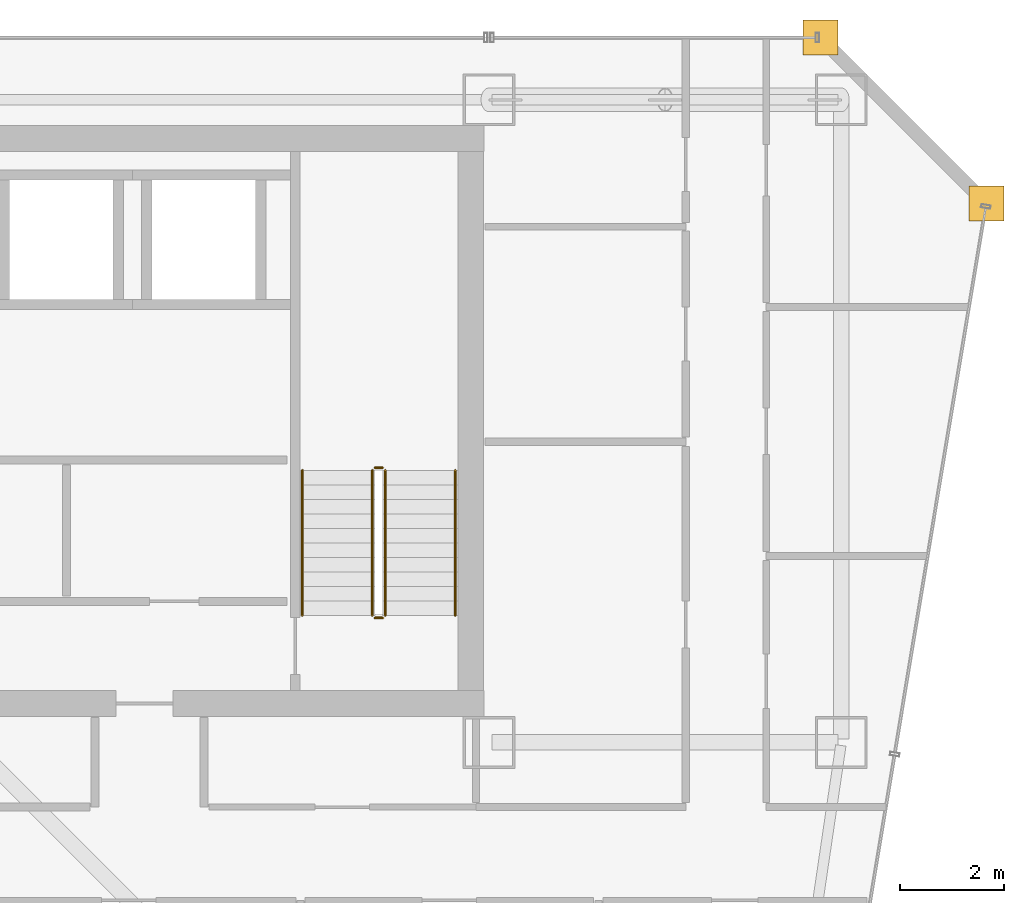
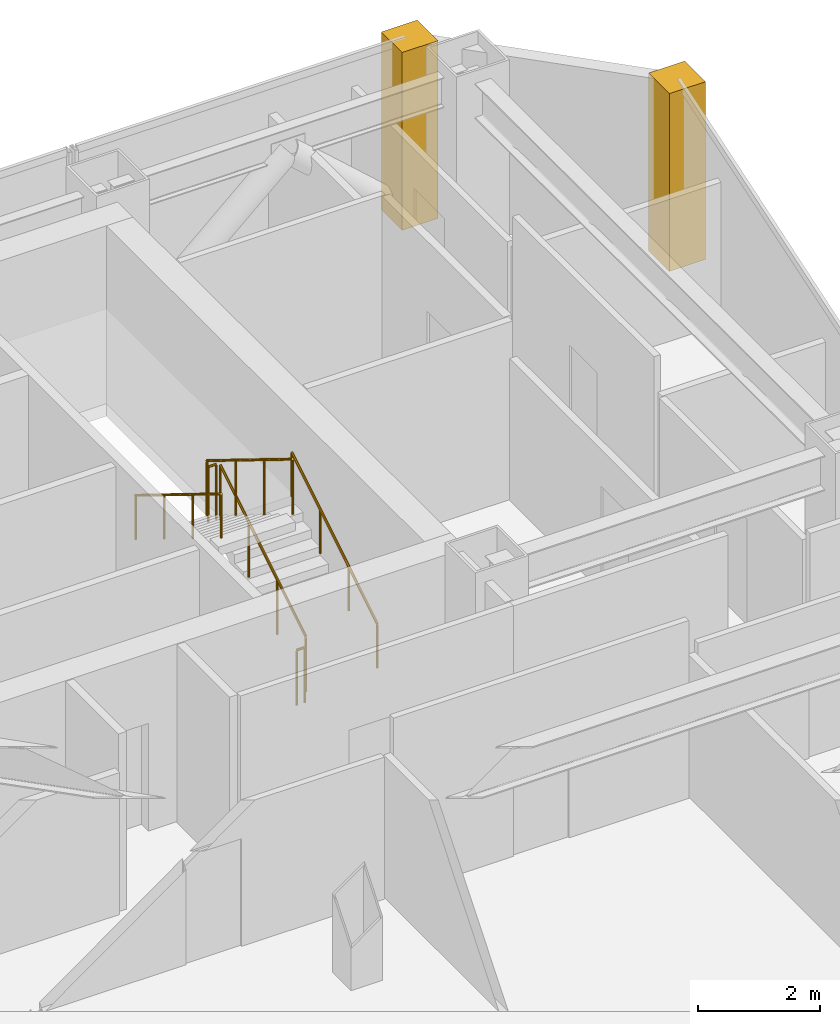
# One storey, part 36 of 36: 6 railings, 2 coverings.
"""IFC4 building model written with IfcOpenShell, lengths in metres."""

from ifc_helpers import new_model, si_unit, direction, frame, origin, origin_2d, place, context, subcontext, project, spatial, polyline, circle, outline, extrude, material, layer, layer_set, type_object, element, save


model = new_model("IFC4")

# Units and contexts
model_context = context("Model", 3, precision=1e-05, world=origin(), true_north=direction((0.0, 1.0)))
body_context = subcontext(model_context, "Body", "Model", "MODEL_VIEW")
ifc_project = project(units=[si_unit("LENGTHUNIT", "METRE"), si_unit("AREAUNIT", "SQUARE_METRE"), si_unit("VOLUMEUNIT", "CUBIC_METRE"), si_unit("PLANEANGLEUNIT", "RADIAN"), si_unit("MASSUNIT", "GRAM", prefix="KILO")], contexts=[model_context])

# Site, building, storey
site_placement = place(None, origin())
site = spatial("IfcSite", under=ifc_project, at=site_placement, CompositionType="ELEMENT")
building_placement = place(site_placement, origin())
building = spatial("IfcBuilding", under=site, at=building_placement, Name="Saevonmaru Cultural Tower", CompositionType="ELEMENT")
storey_placement = place(building_placement, frame((0.0, 0.0, 156.199951171875)))
storey = spatial("IfcBuildingStorey", under=building, at=storey_placement, Name="L34", CompositionType="ELEMENT", Elevation=156.199951171875)

# Coverings
ifc_material_1 = material(Name="Satin Bronze Anodised Aluminium", Category="aluminium")
ifc_layer = layer(ifc_material_1, 0.679931640625, Name="Satin Bronze Anodised Aluminium")
ifc_layer_set = layer_set([ifc_layer], Name="Satin Bronze Anodised Aluminium")
covering_type = type_object("IfcCoveringType", Name="CV-CORNER-CLAD", PredefinedType="CLADDING", material=ifc_layer_set)
covering_1_placement = place(storey_placement, origin())
element("IfcCovering", 1, at=covering_1_placement, inside=storey, type_object=covering_type, Name="L34 Tower Bronze Corner Cladding Pier 9", PredefinedType="CLADDING", context=body_context, shape_type="SweptSolid", body=[
    extrude(outline(polyline([(55.659912109375, 52.4599609375), (56.340087890625, 52.4599609375), (56.340087890625, 53.139892578125), (55.659912109375, 53.139892578125), (55.659912109375, 52.4599609375)])), origin(), (0.0, 0.0, 1.0), 3.550048828125),
])
covering_2_placement = place(storey_placement, origin())
element("IfcCovering", 2, at=covering_2_placement, inside=storey, type_object=covering_type, Name="L34 Tower Bronze Corner Cladding Pier 10", PredefinedType="CLADDING", context=body_context, shape_type="SweptSolid", body=[
    extrude(outline(polyline([(52.4599609375, 55.659912109375), (53.139892578125, 55.659912109375), (53.139892578125, 56.340087890625), (52.4599609375, 56.340087890625), (52.4599609375, 55.659912109375)])), origin(), (0.0, 0.0, 1.0), 3.550048828125),
])

# Railings
ifc_material_2 = material(Name="Architectural Painted Steel", Category="steel")
railing_type_1 = type_object("IfcRailingType", Name="RL-STAIR-GUARD", PredefinedType="GUARDRAIL", material=ifc_material_2)
railing_1_placement = place(storey_placement, frame((44.39990234375, 44.85009765625, 0.1728515625)))
element("IfcRailing", 3, at=railing_1_placement, inside=storey, type_object=railing_type_1, Name="L34 ST-2 stair guard 1", PredefinedType="GUARDRAIL", context=body_context, shape_type="SweptSolid", body=[
    extrude(circle(Radius=0.02392578125, at=origin_2d()), frame((0.0, 0.0, 1.09619140625), z_axis=(0.0, 0.851069175582, 0.525053576669), x_axis=(-1.0, 0.0, 0.0)), (0.0, 0.0, 1.0), 3.289794921875),
    extrude(circle(Radius=0.02099609375, at=origin_2d()), origin(), (0.0, 0.0, 1.0), 1.072021484375),
    extrude(circle(Radius=0.02099609375, at=origin_2d()), frame((0.0, 0.933349609375, 0.57568359375)), (0.0, 0.0, 1.0), 1.072021484375),
    extrude(circle(Radius=0.02099609375, at=origin_2d()), frame((0.0, 1.866455078125, 1.151611328125)), (0.0, 0.0, 1.0), 1.072021484375),
    extrude(circle(Radius=0.02099609375, at=origin_2d()), frame((0.0, 2.7998046875, 1.727294921875)), (0.0, 0.0, 1.0), 1.072021484375),
])
railing_2_placement = place(storey_placement, frame((44.35009765625, 47.699951171875, 1.900146484375)))
element("IfcRailing", 4, at=railing_2_placement, inside=storey, type_object=railing_type_1, Name="L34 ST-2 stair guard 2", PredefinedType="GUARDRAIL", context=body_context, shape_type="SweptSolid", body=[
    extrude(circle(Radius=0.02392578125, at=origin_2d()), frame((0.0, 0.0, 1.09619140625), z_axis=(-1.0, 0.0, 0.0), x_axis=(0.0, -1.0, 0.0)), (0.0, 0.0, 1.0), 0.150146484375),
    extrude(circle(Radius=0.02099609375, at=origin_2d()), origin(), (0.0, 0.0, 1.0), 1.072021484375),
    extrude(circle(Radius=0.02099609375, at=origin_2d()), frame((-0.150146484375, 0.0, 0.0)), (0.0, 0.0, 1.0), 1.072021484375),
])
railing_3_placement = place(storey_placement, frame((44.14990234375, 47.64990234375, 2.07275390625)))
element("IfcRailing", 5, at=railing_3_placement, inside=storey, type_object=railing_type_1, Name="L34 ST-2 stair guard 3", PredefinedType="GUARDRAIL", context=body_context, shape_type="SweptSolid", body=[
    extrude(circle(Radius=0.02392578125, at=origin_2d()), frame((0.0, 0.0, 1.09619140625), z_axis=(0.0, -0.851069175582, 0.525053576669), x_axis=(1.0, 0.0, 0.0)), (0.0, 0.0, 1.0), 3.289794921875),
    extrude(circle(Radius=0.02099609375, at=origin_2d()), origin(), (0.0, 0.0, 1.0), 1.072021484375),
    extrude(circle(Radius=0.02099609375, at=origin_2d()), frame((0.0, -0.933349609375, 0.57568359375)), (0.0, 0.0, 1.0), 1.072021484375),
    extrude(circle(Radius=0.02099609375, at=origin_2d()), frame((0.0, -1.866455078125, 1.151611328125)), (0.0, 0.0, 1.0), 1.072021484375),
    extrude(circle(Radius=0.02099609375, at=origin_2d()), frame((0.0, -2.7998046875, 1.727294921875)), (0.0, 0.0, 1.0), 1.072021484375),
])
railing_4_placement = place(storey_placement, frame((44.35009765625, 44.800048828125, 0.0)))
element("IfcRailing", 6, at=railing_4_placement, inside=storey, type_object=railing_type_1, Name="L34 ST-2 stair guard 4", PredefinedType="GUARDRAIL", context=body_context, shape_type="SweptSolid", body=[
    extrude(circle(Radius=0.02392578125, at=origin_2d()), frame((0.0, 0.0, 1.09619140625), z_axis=(-1.0, 0.0, 0.0), x_axis=(0.0, -1.0, 0.0)), (0.0, 0.0, 1.0), 0.150146484375),
    extrude(circle(Radius=0.02099609375, at=origin_2d()), origin(), (0.0, 0.0, 1.0), 1.072021484375),
    extrude(circle(Radius=0.02099609375, at=origin_2d()), frame((-0.150146484375, 0.0, 0.0)), (0.0, 0.0, 1.0), 1.072021484375),
])
railing_type_2 = type_object("IfcRailingType", Name="RL-STAIR-HANDRAIL", PredefinedType="HANDRAIL", material=ifc_material_1)
railing_5_placement = place(storey_placement, frame((45.75, 44.85009765625, 0.1728515625)))
element("IfcRailing", 7, at=railing_5_placement, inside=storey, type_object=railing_type_2, Name="L34 ST-2 stair handrail 1", PredefinedType="HANDRAIL", context=body_context, shape_type="SweptSolid", body=[
    extrude(circle(Radius=0.02392578125, at=origin_2d()), frame((0.0, 0.0, 0.8759765625), z_axis=(0.0, 0.851069175582, 0.525053576669), x_axis=(-1.0, 0.0, 0.0)), (0.0, 0.0, 1.0), 3.289794921875),
    extrude(circle(Radius=0.02099609375, at=origin_2d()), origin(), (0.0, 0.0, 1.0), 0.851806640625),
    extrude(circle(Radius=0.02099609375, at=origin_2d()), frame((0.0, 0.933349609375, 0.57568359375)), (0.0, 0.0, 1.0), 0.851806640625),
    extrude(circle(Radius=0.02099609375, at=origin_2d()), frame((0.0, 1.866455078125, 1.151611328125)), (0.0, 0.0, 1.0), 0.851806640625),
    extrude(circle(Radius=0.02099609375, at=origin_2d()), frame((0.0, 2.7998046875, 1.727294921875)), (0.0, 0.0, 1.0), 0.851806640625),
])
railing_6_placement = place(storey_placement, frame((42.800048828125, 47.64990234375, 2.07275390625)))
element("IfcRailing", 8, at=railing_6_placement, inside=storey, type_object=railing_type_2, Name="L34 ST-2 stair handrail 2", PredefinedType="HANDRAIL", context=body_context, shape_type="SweptSolid", body=[
    extrude(circle(Radius=0.02392578125, at=origin_2d()), frame((0.0, 0.0, 0.8759765625), z_axis=(0.0, -0.851069175582, 0.525053576669), x_axis=(1.0, 0.0, 0.0)), (0.0, 0.0, 1.0), 3.289794921875),
    extrude(circle(Radius=0.02099609375, at=origin_2d()), origin(), (0.0, 0.0, 1.0), 0.851806640625),
    extrude(circle(Radius=0.02099609375, at=origin_2d()), frame((0.0, -0.933349609375, 0.57568359375)), (0.0, 0.0, 1.0), 0.851806640625),
    extrude(circle(Radius=0.02099609375, at=origin_2d()), frame((0.0, -1.866455078125, 1.151611328125)), (0.0, 0.0, 1.0), 0.851806640625),
    extrude(circle(Radius=0.02099609375, at=origin_2d()), frame((0.0, -2.7998046875, 1.727294921875)), (0.0, 0.0, 1.0), 0.851806640625),
])

save(model, "model.ifc")
